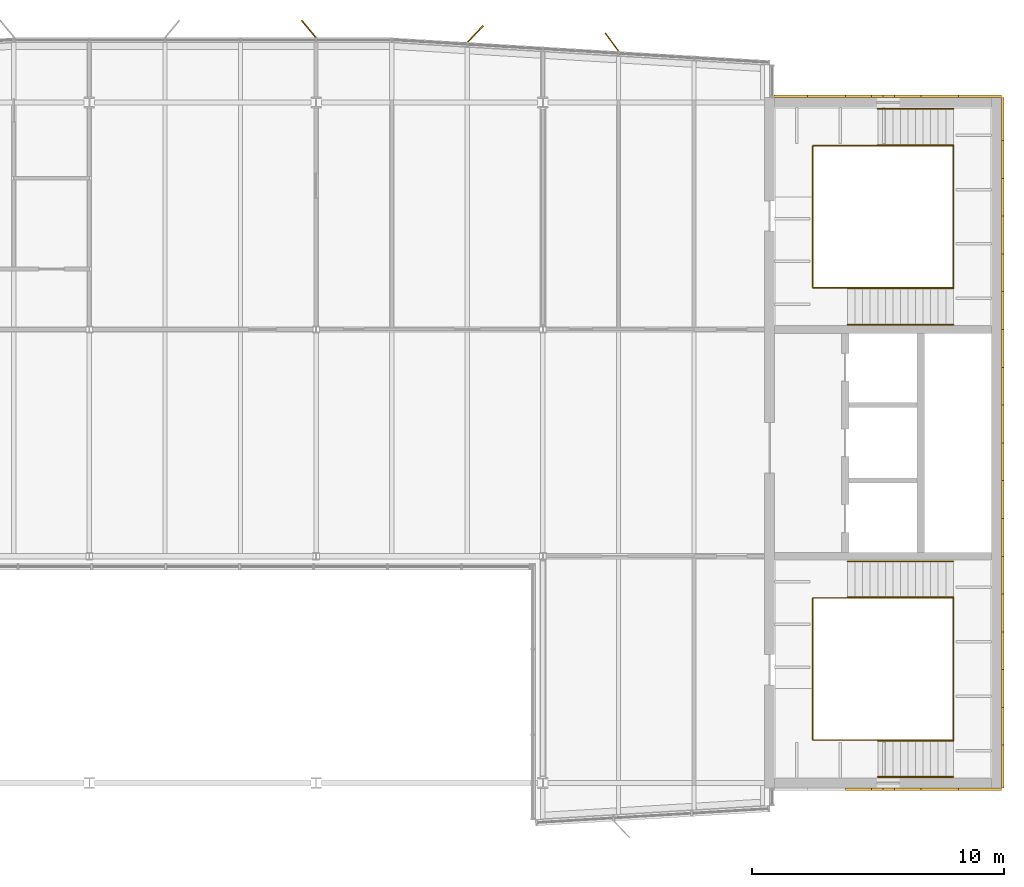
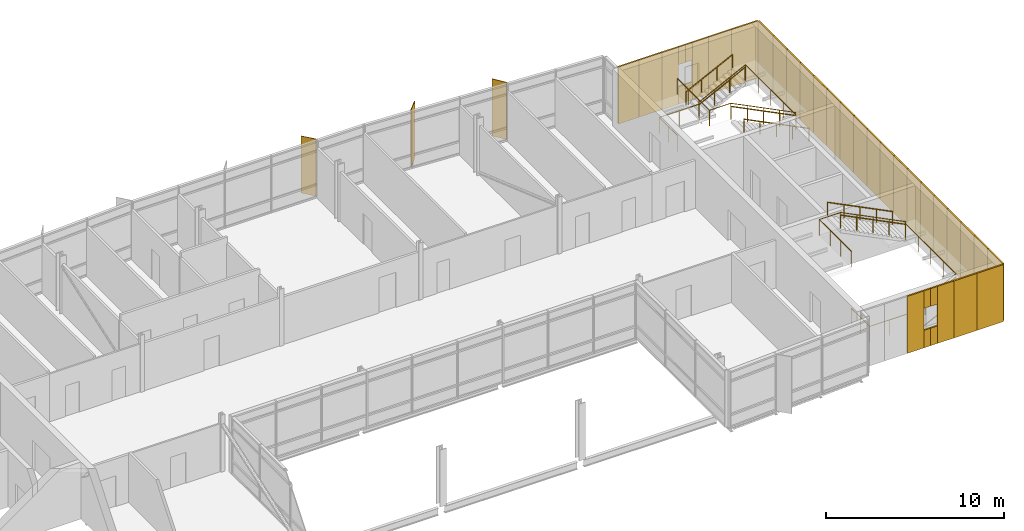
# One storey, part 20 of 20: 36 coverings, 10 railings, 3 shading devices.
"""IFC4 building model written with IfcOpenShell, lengths in metres."""

from ifc_helpers import new_model, si_unit, direction, frame, origin, origin_2d, place, context, subcontext, project, spatial, rectangle, circle, extrude, material, layer, layer_set, type_object, element, save


model = new_model("IFC4")

# Units and contexts
model_context = context("Model", 3, precision=1e-05, world=origin(), true_north=direction((0.0, 1.0)))
body_context = subcontext(model_context, "Body", "Model", "MODEL_VIEW")
ifc_project = project(units=[si_unit("LENGTHUNIT", "METRE"), si_unit("AREAUNIT", "SQUARE_METRE"), si_unit("VOLUMEUNIT", "CUBIC_METRE"), si_unit("PLANEANGLEUNIT", "RADIAN"), si_unit("MASSUNIT", "GRAM", prefix="KILO")], contexts=[model_context])

# Site, building, storey
site_placement = place(None, origin())
site = spatial("IfcSite", under=ifc_project, at=site_placement, CompositionType="ELEMENT")
building_placement = place(site_placement, origin())
building = spatial("IfcBuilding", under=site, at=building_placement, Name="Azimuth Sports and Learning Centre", CompositionType="ELEMENT")
storey_placement = place(building_placement, frame((0.0, 0.0, 71.39990234375)))
storey = spatial("IfcBuildingStorey", under=building, at=storey_placement, Name="L16", CompositionType="ELEMENT", Elevation=71.39990234375)

# Coverings
ifc_material_1 = material(Name="Cladding panel")
ifc_layer_1 = layer(ifc_material_1, 0.10009765625)
ifc_layer_set_1 = layer_set([ifc_layer_1], Name="Cladding panel")
covering_type = type_object("IfcCoveringType", Name="Cladding panel 100", PredefinedType="CLADDING", material=ifc_layer_set_1)
covering_1_placement = place(storey_placement, frame((111.52490234375, 89.75, 0.000244140625), z_axis=(0.0, 0.0, 1.0), x_axis=(1.0, 0.0, 0.0)))
element("IfcCovering", 1, at=covering_1_placement, inside=storey, type_object=covering_type, Name="Cladding panel S-CORE E L16 3", PredefinedType="CLADDING", context=body_context, shape_type="SweptSolid", body=[
    extrude(rectangle(XDim=1.050048828125, YDim=0.10009765625, at=origin_2d()), origin(), (0.0, 0.0, 1.0), 3.89990234375),
])
for number, where, z_axis, x_axis, name in (
    (2, (112.27490234375, 89.75, 0.0), (0.0, 0.0, 1.0), (1.0, 0.0, 0.0), "Cladding panel S-CORE E L16 4"),
    (3, (112.27490234375, 89.75, 2.7001953125), (0.0, 0.0, 1.0), (1.0, 0.0, 0.0), "Cladding panel S-CORE E L16 5"),
):
    element("IfcCovering", number, at=place(storey_placement, frame(where, z_axis=z_axis, x_axis=x_axis)), inside=storey, type_object=covering_type, Name=name, PredefinedType="CLADDING", context=body_context, shape_type="SweptSolid", body=[
        extrude(rectangle(XDim=0.449951171875, YDim=0.10009765625, at=origin_2d()), origin(), (0.0, 0.0, 1.0), 1.199951171875),
    ])
covering_2_placement = place(storey_placement, frame((113.47509765625, 89.75, 0.000244140625), z_axis=(0.0, 0.0, 1.0), x_axis=(1.0, 0.0, 0.0)))
element("IfcCovering", 4, at=covering_2_placement, inside=storey, type_object=covering_type, Name="Cladding panel S-CORE E L16 6", PredefinedType="CLADDING", context=body_context, shape_type="SweptSolid", body=[
    extrude(rectangle(XDim=1.050048828125, YDim=0.10009765625, at=origin_2d()), origin(), (0.0, 0.0, 1.0), 3.89990234375),
])
for number, where, z_axis, x_axis, name in (
    (5, (112.72509765625, 89.75, 0.0), (0.0, 0.0, 1.0), (1.0, 0.0, 0.0), "Cladding panel S-CORE E L16 7"),
    (6, (112.72509765625, 89.75, 2.7001953125), (0.0, 0.0, 1.0), (1.0, 0.0, 0.0), "Cladding panel S-CORE E L16 8"),
):
    element("IfcCovering", number, at=place(storey_placement, frame(where, z_axis=z_axis, x_axis=x_axis)), inside=storey, type_object=covering_type, Name=name, PredefinedType="CLADDING", context=body_context, shape_type="SweptSolid", body=[
        extrude(rectangle(XDim=0.449951171875, YDim=0.10009765625, at=origin_2d()), origin(), (0.0, 0.0, 1.0), 1.199951171875),
    ])
covering_3_placement = place(storey_placement, frame((114.75, 89.75, 0.000244140625), z_axis=(0.0, 0.0, 1.0), x_axis=(1.0, 0.0, 0.0)))
element("IfcCovering", 7, at=covering_3_placement, inside=storey, type_object=covering_type, Name="Cladding panel S-CORE E L16 9", PredefinedType="CLADDING", context=body_context, shape_type="SweptSolid", body=[
    extrude(rectangle(XDim=1.5, YDim=0.10009765625, at=origin_2d()), origin(), (0.0, 0.0, 1.0), 3.89990234375),
])
for number, where, z_axis, x_axis, name in (
    (8, (116.35009765625, 89.75, 0.000244140625), (0.0, 0.0, 1.0), (1.0, 0.0, 0.0), "Cladding panel S-CORE E L16 10"),
    (9, (117.25, 90.64990234375, 0.000244140625), (0.0, 0.0, 1.0), (0.0, 1.0, 0.0), "Cladding panel E-CORE E L16 1"),
):
    element("IfcCovering", number, at=place(storey_placement, frame(where, z_axis=z_axis, x_axis=x_axis)), inside=storey, type_object=covering_type, Name=name, PredefinedType="CLADDING", context=body_context, shape_type="SweptSolid", body=[
        extrude(rectangle(XDim=1.699951171875, YDim=0.10009765625, at=origin_2d()), origin(), (0.0, 0.0, 1.0), 3.89990234375),
    ])
for number, where, z_axis, x_axis, name in (
    (10, (117.25, 92.25, 0.000244140625), (0.0, 0.0, 1.0), (0.0, 1.0, 0.0), "Cladding panel E-CORE E L16 2"),
    (11, (117.25, 93.75, 0.000244140625), (0.0, 0.0, 1.0), (0.0, 1.0, 0.0), "Cladding panel E-CORE E L16 3"),
    (12, (117.25, 95.25, 0.000244140625), (0.0, 0.0, 1.0), (0.0, 1.0, 0.0), "Cladding panel E-CORE E L16 4"),
    (13, (117.25, 96.75, 0.000244140625), (0.0, 0.0, 1.0), (0.0, 1.0, 0.0), "Cladding panel E-CORE E L16 5"),
    (14, (117.25, 98.25, 0.000244140625), (0.0, 0.0, 1.0), (0.0, 1.0, 0.0), "Cladding panel E-CORE E L16 6"),
    (15, (117.25, 99.75, 0.000244140625), (0.0, 0.0, 1.0), (0.0, 1.0, 0.0), "Cladding panel E-CORE E L16 7"),
    (16, (117.25, 101.25, 0.000244140625), (0.0, 0.0, 1.0), (0.0, 1.0, 0.0), "Cladding panel E-CORE E L16 8"),
    (17, (117.25, 102.75, 0.000244140625), (0.0, 0.0, 1.0), (0.0, 1.0, 0.0), "Cladding panel E-CORE E L16 9"),
    (18, (117.25, 104.25, 0.000244140625), (0.0, 0.0, 1.0), (0.0, 1.0, 0.0), "Cladding panel E-CORE E L16 10"),
    (19, (117.25, 105.75, 0.000244140625), (0.0, 0.0, 1.0), (0.0, 1.0, 0.0), "Cladding panel E-CORE E L16 11"),
    (20, (117.25, 107.25, 0.000244140625), (0.0, 0.0, 1.0), (0.0, 1.0, 0.0), "Cladding panel E-CORE E L16 12"),
    (21, (117.25, 108.75, 0.000244140625), (0.0, 0.0, 1.0), (0.0, 1.0, 0.0), "Cladding panel E-CORE E L16 13"),
    (22, (117.25, 110.25, 0.000244140625), (0.0, 0.0, 1.0), (0.0, 1.0, 0.0), "Cladding panel E-CORE E L16 14"),
    (23, (117.25, 111.75, 0.000244140625), (0.0, 0.0, 1.0), (0.0, 1.0, 0.0), "Cladding panel E-CORE E L16 15"),
    (24, (117.25, 113.25, 0.000244140625), (0.0, 0.0, 1.0), (0.0, 1.0, 0.0), "Cladding panel E-CORE E L16 16"),
    (25, (117.25, 114.75, 0.000244140625), (0.0, 0.0, 1.0), (0.0, 1.0, 0.0), "Cladding panel E-CORE E L16 17"),
):
    element("IfcCovering", number, at=place(storey_placement, frame(where, z_axis=z_axis, x_axis=x_axis)), inside=storey, type_object=covering_type, Name=name, PredefinedType="CLADDING", context=body_context, shape_type="SweptSolid", body=[
        extrude(rectangle(XDim=1.5, YDim=0.10009765625, at=origin_2d()), origin(), (0.0, 0.0, 1.0), 3.89990234375),
    ])
for number, where, z_axis, x_axis, name in (
    (26, (117.25, 116.35009765625, 0.000244140625), (0.0, 0.0, 1.0), (0.0, 1.0, 0.0), "Cladding panel E-CORE E L16 18"),
    (27, (116.35009765625, 117.25, 0.000244140625), (0.0, 0.0, 1.0), (-1.0, 0.0, 0.0), "Cladding panel N-CORE E L16 1"),
):
    element("IfcCovering", number, at=place(storey_placement, frame(where, z_axis=z_axis, x_axis=x_axis)), inside=storey, type_object=covering_type, Name=name, PredefinedType="CLADDING", context=body_context, shape_type="SweptSolid", body=[
        extrude(rectangle(XDim=1.699951171875, YDim=0.10009765625, at=origin_2d()), origin(), (0.0, 0.0, 1.0), 3.89990234375),
    ])
covering_4_placement = place(storey_placement, frame((114.75, 117.25, 0.000244140625), z_axis=(0.0, 0.0, 1.0), x_axis=(-1.0, 0.0, 0.0)))
element("IfcCovering", 28, at=covering_4_placement, inside=storey, type_object=covering_type, Name="Cladding panel N-CORE E L16 2", PredefinedType="CLADDING", context=body_context, shape_type="SweptSolid", body=[
    extrude(rectangle(XDim=1.5, YDim=0.10009765625, at=origin_2d()), origin(), (0.0, 0.0, 1.0), 3.89990234375),
])
covering_5_placement = place(storey_placement, frame((113.47509765625, 117.25, 0.000244140625), z_axis=(0.0, 0.0, 1.0), x_axis=(-1.0, 0.0, 0.0)))
element("IfcCovering", 29, at=covering_5_placement, inside=storey, type_object=covering_type, Name="Cladding panel N-CORE E L16 3", PredefinedType="CLADDING", context=body_context, shape_type="SweptSolid", body=[
    extrude(rectangle(XDim=1.050048828125, YDim=0.10009765625, at=origin_2d()), origin(), (0.0, 0.0, 1.0), 3.89990234375),
])
for number, where, z_axis, x_axis, name in (
    (30, (112.72509765625, 117.25, 0.0), (0.0, 0.0, 1.0), (-1.0, 0.0, 0.0), "Cladding panel N-CORE E L16 4"),
    (31, (112.72509765625, 117.25, 2.7001953125), (0.0, 0.0, 1.0), (-1.0, 0.0, 0.0), "Cladding panel N-CORE E L16 5"),
):
    element("IfcCovering", number, at=place(storey_placement, frame(where, z_axis=z_axis, x_axis=x_axis)), inside=storey, type_object=covering_type, Name=name, PredefinedType="CLADDING", context=body_context, shape_type="SweptSolid", body=[
        extrude(rectangle(XDim=0.449951171875, YDim=0.10009765625, at=origin_2d()), origin(), (0.0, 0.0, 1.0), 1.199951171875),
    ])
covering_6_placement = place(storey_placement, frame((111.52490234375, 117.25, 0.000244140625), z_axis=(0.0, 0.0, 1.0), x_axis=(-1.0, 0.0, 0.0)))
element("IfcCovering", 32, at=covering_6_placement, inside=storey, type_object=covering_type, Name="Cladding panel N-CORE E L16 6", PredefinedType="CLADDING", context=body_context, shape_type="SweptSolid", body=[
    extrude(rectangle(XDim=1.050048828125, YDim=0.10009765625, at=origin_2d()), origin(), (0.0, 0.0, 1.0), 3.89990234375),
])
for number, where, z_axis, x_axis, name in (
    (33, (112.27490234375, 117.25, 0.0), (0.0, 0.0, 1.0), (-1.0, 0.0, 0.0), "Cladding panel N-CORE E L16 7"),
    (34, (112.27490234375, 117.25, 2.7001953125), (0.0, 0.0, 1.0), (-1.0, 0.0, 0.0), "Cladding panel N-CORE E L16 8"),
):
    element("IfcCovering", number, at=place(storey_placement, frame(where, z_axis=z_axis, x_axis=x_axis)), inside=storey, type_object=covering_type, Name=name, PredefinedType="CLADDING", context=body_context, shape_type="SweptSolid", body=[
        extrude(rectangle(XDim=0.449951171875, YDim=0.10009765625, at=origin_2d()), origin(), (0.0, 0.0, 1.0), 1.199951171875),
    ])
covering_7_placement = place(storey_placement, frame((110.25, 117.25, 0.000244140625), z_axis=(0.0, 0.0, 1.0), x_axis=(-1.0, 0.0, 0.0)))
element("IfcCovering", 35, at=covering_7_placement, inside=storey, type_object=covering_type, Name="Cladding panel N-CORE E L16 9", PredefinedType="CLADDING", context=body_context, shape_type="SweptSolid", body=[
    extrude(rectangle(XDim=1.5, YDim=0.10009765625, at=origin_2d()), origin(), (0.0, 0.0, 1.0), 3.89990234375),
])
covering_8_placement = place(storey_placement, frame((108.840087890625, 117.25, 0.000244140625), z_axis=(0.0, 0.0, 1.0), x_axis=(-1.0, 0.0, 0.0)))
element("IfcCovering", 36, at=covering_8_placement, inside=storey, type_object=covering_type, Name="Cladding panel N-CORE E L16 10", PredefinedType="CLADDING", context=body_context, shape_type="SweptSolid", body=[
    extrude(rectangle(XDim=1.320068359375, YDim=0.10009765625, at=origin_2d()), origin(), (0.0, 0.0, 1.0), 3.89990234375),
])

# Shading devices
ifc_material_2 = material(Name="Aluminium", Category="aluminium")
ifc_layer_2 = layer(ifc_material_2, 0.0400390625)
ifc_layer_set_2 = layer_set([ifc_layer_2], Name="Aluminium")
shading_device_type = type_object("IfcShadingDeviceType", Name="Shading fin 900", PredefinedType="JALOUSIE", material=ifc_layer_set_2)
for number, where, z_axis, x_axis, name in (
    (37, (101.74267578125, 119.401123046875, 0.000244140625), (0.0, 0.0, 1.0), (-0.595753790608, 0.803167118958, 0.0), "Shading fin F16-004"),
    (38, (96.320068359375, 119.7265625, 0.000244140625), (0.0, 0.0, 1.0), (0.687513645637, 0.726171458447, 0.0), "Shading fin F16-005"),
    (39, (89.710693359375, 119.9248046875, 0.000244140625), (0.0, 0.0, 1.0), (-0.642787609687, 0.766044443119, 0.0), "Shading fin F16-006"),
):
    element("IfcShadingDevice", number, at=place(storey_placement, frame(where, z_axis=z_axis, x_axis=x_axis)), inside=storey, type_object=shading_device_type, Name=name, PredefinedType="JALOUSIE", context=body_context, shape_type="SweptSolid", body=[
        extrude(rectangle(XDim=0.89990234375, YDim=0.0400390625, at=origin_2d()), origin(), (0.0, 0.0, 1.0), 3.89990234375),
    ])

# Railings
ifc_material_3 = material(Name="Stainless steel", Category="steel")
railing_type_1 = type_object("IfcRailingType", Name="Stair guard 1100", PredefinedType="GUARDRAIL", material=ifc_material_3)
railing_1_placement = place(storey_placement, frame((109.7099609375, 93.75, 0.0)))
element("IfcRailing", 40, at=railing_1_placement, inside=storey, type_object=railing_type_1, Name="Guard E1 L16 well", PredefinedType="GUARDRAIL", context=body_context, shape_type="SweptSolid", body=[
    extrude(circle(Radius=0.02392578125, at=origin_2d()), frame((0.0, 0.0, 1.076171875), z_axis=(0.0, -1.0, 0.0), x_axis=(1.0, 0.0, 0.0)), (0.0, 0.0, 1.0), 2.0400390625),
    extrude(circle(Radius=0.02392578125, at=origin_2d()), frame((0.0, -2.0400390625, 1.076171875), z_axis=(1.0, 0.0, 0.0), x_axis=(0.0, 1.0, 0.0)), (0.0, 0.0, 1.0), 2.580078125),
    extrude(circle(Radius=0.02392578125, at=origin_2d()), frame((2.580078125, -2.0400390625, 1.076171875), z_axis=(0.0, 0.0, 1.0), x_axis=(1.0, 0.0, 0.0)), (0.0, 0.0, 1.0), 0.150146484375),
    extrude(circle(Radius=0.02392578125, at=origin_2d()), frame((2.580078125, -2.0400390625, 1.22607421875), z_axis=(0.894427191, 0.0, 0.4472135955), x_axis=(0.0, 1.0, 0.0)), (0.0, 0.0, 1.0), 3.35400390625),
    extrude(circle(Radius=0.02392578125, at=origin_2d()), frame((5.580078125, -2.0400390625, 2.72607421875), z_axis=(0.0, 1.0, 0.0), x_axis=(-1.0, 0.0, 0.0)), (0.0, 0.0, 1.0), 5.630126953125),
    extrude(circle(Radius=0.02392578125, at=origin_2d()), frame((5.580078125, 3.590087890625, 2.72607421875), z_axis=(0.0, 0.0, 1.0), x_axis=(1.0, 0.0, 0.0)), (0.0, 0.0, 1.0), 0.14990234375),
    extrude(circle(Radius=0.02392578125, at=origin_2d()), frame((5.580078125, 3.590087890625, 2.8759765625), z_axis=(-0.894416792377, 0.0, 0.447234392142), x_axis=(0.0, -1.0, 0.0)), (0.0, 0.0, 1.0), 4.69580078125),
    extrude(circle(Radius=0.02392578125, at=origin_2d()), frame((1.380126953125, 3.590087890625, 4.97607421875), z_axis=(-1.0, 0.0, 0.0), x_axis=(0.0, -1.0, 0.0)), (0.0, 0.0, 1.0), 1.380126953125),
    extrude(circle(Radius=0.02392578125, at=origin_2d()), frame((0.0, 3.590087890625, 4.97607421875), z_axis=(0.0, -1.0, 0.0), x_axis=(1.0, 0.0, 0.0)), (0.0, 0.0, 1.0), 3.590087890625),
    extrude(circle(Radius=0.01611328125, at=origin_2d()), origin(), (0.0, 0.0, 1.0), 1.052001953125),
    extrude(circle(Radius=0.01611328125, at=origin_2d()), frame((0.0, -1.02001953125, 0.0)), (0.0, 0.0, 1.0), 1.052001953125),
    extrude(circle(Radius=0.01611328125, at=origin_2d()), frame((0.0, -2.0400390625, 0.0)), (0.0, 0.0, 1.0), 1.052001953125),
    extrude(circle(Radius=0.01611328125, at=origin_2d()), frame((1.2900390625, -2.0400390625, 0.0)), (0.0, 0.0, 1.0), 1.052001953125),
    extrude(circle(Radius=0.01611328125, at=origin_2d()), frame((2.580078125, -2.0400390625, 0.0)), (0.0, 0.0, 1.0), 1.052001953125),
    extrude(circle(Radius=0.01611328125, at=origin_2d()), frame((2.580078125, -2.0400390625, 0.150146484375)), (0.0, 0.0, 1.0), 1.052001953125),
    extrude(circle(Radius=0.01611328125, at=origin_2d()), frame((3.580078125, -2.0400390625, 0.650146484375)), (0.0, 0.0, 1.0), 1.052001953125),
    extrude(circle(Radius=0.01611328125, at=origin_2d()), frame((4.580078125, -2.0400390625, 1.150146484375)), (0.0, 0.0, 1.0), 1.052001953125),
    extrude(circle(Radius=0.01611328125, at=origin_2d()), frame((5.580078125, -2.0400390625, 1.650146484375)), (0.0, 0.0, 1.0), 1.052001953125),
    extrude(circle(Radius=0.01611328125, at=origin_2d()), frame((5.580078125, -0.632568359375, 1.650146484375)), (0.0, 0.0, 1.0), 1.052001953125),
    extrude(circle(Radius=0.01611328125, at=origin_2d()), frame((5.580078125, 0.77490234375, 1.650146484375)), (0.0, 0.0, 1.0), 1.052001953125),
    extrude(circle(Radius=0.01611328125, at=origin_2d()), frame((5.580078125, 2.1826171875, 1.650146484375)), (0.0, 0.0, 1.0), 1.052001953125),
    extrude(circle(Radius=0.01611328125, at=origin_2d()), frame((5.580078125, 3.590087890625, 1.650146484375)), (0.0, 0.0, 1.0), 1.052001953125),
    extrude(circle(Radius=0.01611328125, at=origin_2d()), frame((5.580078125, 3.590087890625, 1.800048828125)), (0.0, 0.0, 1.0), 1.052001953125),
    extrude(circle(Radius=0.01611328125, at=origin_2d()), frame((4.530029296875, 3.590087890625, 2.3251953125)), (0.0, 0.0, 1.0), 1.052001953125),
    extrude(circle(Radius=0.01611328125, at=origin_2d()), frame((3.47998046875, 3.590087890625, 2.85009765625)), (0.0, 0.0, 1.0), 1.052001953125),
    extrude(circle(Radius=0.01611328125, at=origin_2d()), frame((2.43017578125, 3.590087890625, 3.375)), (0.0, 0.0, 1.0), 1.052001953125),
    extrude(circle(Radius=0.01611328125, at=origin_2d()), frame((1.380126953125, 3.590087890625, 3.900146484375)), (0.0, 0.0, 1.0), 1.052001953125),
    extrude(circle(Radius=0.01611328125, at=origin_2d()), frame((0.0, 3.590087890625, 3.900146484375)), (0.0, 0.0, 1.0), 1.052001953125),
    extrude(circle(Radius=0.01611328125, at=origin_2d()), frame((0.0, 2.393310546875, 3.900146484375)), (0.0, 0.0, 1.0), 1.052001953125),
    extrude(circle(Radius=0.01611328125, at=origin_2d()), frame((0.0, 1.19677734375, 3.900146484375)), (0.0, 0.0, 1.0), 1.052001953125),
    extrude(circle(Radius=0.01611328125, at=origin_2d()), frame((0.0, 0.0, 3.900146484375)), (0.0, 0.0, 1.0), 1.052001953125),
])
railing_2_placement = place(storey_placement, frame((109.7099609375, 113.25, 0.0)))
element("IfcRailing", 41, at=railing_2_placement, inside=storey, type_object=railing_type_1, Name="Guard E2 L16 well", PredefinedType="GUARDRAIL", context=body_context, shape_type="SweptSolid", body=[
    extrude(circle(Radius=0.02392578125, at=origin_2d()), frame((0.0, 0.0, 1.076171875), z_axis=(0.0, 1.0, 0.0), x_axis=(-1.0, 0.0, 0.0)), (0.0, 0.0, 1.0), 2.0400390625),
    extrude(circle(Radius=0.02392578125, at=origin_2d()), frame((0.0, 2.0400390625, 1.076171875), z_axis=(1.0, 0.0, 0.0), x_axis=(0.0, 1.0, 0.0)), (0.0, 0.0, 1.0), 2.580078125),
    extrude(circle(Radius=0.02392578125, at=origin_2d()), frame((2.580078125, 2.0400390625, 1.076171875), z_axis=(0.0, 0.0, 1.0), x_axis=(1.0, 0.0, 0.0)), (0.0, 0.0, 1.0), 0.150146484375),
    extrude(circle(Radius=0.02392578125, at=origin_2d()), frame((2.580078125, 2.0400390625, 1.22607421875), z_axis=(0.894427191, 0.0, 0.4472135955), x_axis=(0.0, 1.0, 0.0)), (0.0, 0.0, 1.0), 3.35400390625),
    extrude(circle(Radius=0.02392578125, at=origin_2d()), frame((5.580078125, 2.0400390625, 2.72607421875), z_axis=(0.0, -1.0, 0.0), x_axis=(1.0, 0.0, 0.0)), (0.0, 0.0, 1.0), 5.630126953125),
    extrude(circle(Radius=0.02392578125, at=origin_2d()), frame((5.580078125, -3.590087890625, 2.72607421875), z_axis=(0.0, 0.0, 1.0), x_axis=(1.0, 0.0, 0.0)), (0.0, 0.0, 1.0), 0.14990234375),
    extrude(circle(Radius=0.02392578125, at=origin_2d()), frame((5.580078125, -3.590087890625, 2.8759765625), z_axis=(-0.894416792377, 0.0, 0.447234392142), x_axis=(0.0, -1.0, 0.0)), (0.0, 0.0, 1.0), 4.69580078125),
    extrude(circle(Radius=0.02392578125, at=origin_2d()), frame((1.380126953125, -3.590087890625, 4.97607421875), z_axis=(-1.0, 0.0, 0.0), x_axis=(0.0, -1.0, 0.0)), (0.0, 0.0, 1.0), 1.380126953125),
    extrude(circle(Radius=0.02392578125, at=origin_2d()), frame((0.0, -3.590087890625, 4.97607421875), z_axis=(0.0, 1.0, 0.0), x_axis=(-1.0, 0.0, 0.0)), (0.0, 0.0, 1.0), 3.590087890625),
    extrude(circle(Radius=0.01611328125, at=origin_2d()), origin(), (0.0, 0.0, 1.0), 1.052001953125),
    extrude(circle(Radius=0.01611328125, at=origin_2d()), frame((0.0, 1.02001953125, 0.0)), (0.0, 0.0, 1.0), 1.052001953125),
    extrude(circle(Radius=0.01611328125, at=origin_2d()), frame((0.0, 2.0400390625, 0.0)), (0.0, 0.0, 1.0), 1.052001953125),
    extrude(circle(Radius=0.01611328125, at=origin_2d()), frame((1.2900390625, 2.0400390625, 0.0)), (0.0, 0.0, 1.0), 1.052001953125),
    extrude(circle(Radius=0.01611328125, at=origin_2d()), frame((2.580078125, 2.0400390625, 0.0)), (0.0, 0.0, 1.0), 1.052001953125),
    extrude(circle(Radius=0.01611328125, at=origin_2d()), frame((2.580078125, 2.0400390625, 0.150146484375)), (0.0, 0.0, 1.0), 1.052001953125),
    extrude(circle(Radius=0.01611328125, at=origin_2d()), frame((3.580078125, 2.0400390625, 0.650146484375)), (0.0, 0.0, 1.0), 1.052001953125),
    extrude(circle(Radius=0.01611328125, at=origin_2d()), frame((4.580078125, 2.0400390625, 1.150146484375)), (0.0, 0.0, 1.0), 1.052001953125),
    extrude(circle(Radius=0.01611328125, at=origin_2d()), frame((5.580078125, 2.0400390625, 1.650146484375)), (0.0, 0.0, 1.0), 1.052001953125),
    extrude(circle(Radius=0.01611328125, at=origin_2d()), frame((5.580078125, 0.632568359375, 1.650146484375)), (0.0, 0.0, 1.0), 1.052001953125),
    extrude(circle(Radius=0.01611328125, at=origin_2d()), frame((5.580078125, -0.77490234375, 1.650146484375)), (0.0, 0.0, 1.0), 1.052001953125),
    extrude(circle(Radius=0.01611328125, at=origin_2d()), frame((5.580078125, -2.1826171875, 1.650146484375)), (0.0, 0.0, 1.0), 1.052001953125),
    extrude(circle(Radius=0.01611328125, at=origin_2d()), frame((5.580078125, -3.590087890625, 1.650146484375)), (0.0, 0.0, 1.0), 1.052001953125),
    extrude(circle(Radius=0.01611328125, at=origin_2d()), frame((5.580078125, -3.590087890625, 1.800048828125)), (0.0, 0.0, 1.0), 1.052001953125),
    extrude(circle(Radius=0.01611328125, at=origin_2d()), frame((4.530029296875, -3.590087890625, 2.3251953125)), (0.0, 0.0, 1.0), 1.052001953125),
    extrude(circle(Radius=0.01611328125, at=origin_2d()), frame((3.47998046875, -3.590087890625, 2.85009765625)), (0.0, 0.0, 1.0), 1.052001953125),
    extrude(circle(Radius=0.01611328125, at=origin_2d()), frame((2.43017578125, -3.590087890625, 3.375)), (0.0, 0.0, 1.0), 1.052001953125),
    extrude(circle(Radius=0.01611328125, at=origin_2d()), frame((1.380126953125, -3.590087890625, 3.900146484375)), (0.0, 0.0, 1.0), 1.052001953125),
    extrude(circle(Radius=0.01611328125, at=origin_2d()), frame((0.0, -3.590087890625, 3.900146484375)), (0.0, 0.0, 1.0), 1.052001953125),
    extrude(circle(Radius=0.01611328125, at=origin_2d()), frame((0.0, -2.393310546875, 3.900146484375)), (0.0, 0.0, 1.0), 1.052001953125),
    extrude(circle(Radius=0.01611328125, at=origin_2d()), frame((0.0, -1.19677734375, 3.900146484375)), (0.0, 0.0, 1.0), 1.052001953125),
    extrude(circle(Radius=0.01611328125, at=origin_2d()), frame((0.0, 0.0, 3.900146484375)), (0.0, 0.0, 1.0), 1.052001953125),
])
ifc_material_4 = material(Name="Stainless steel", Category="steel")
railing_type_2 = type_object("IfcRailingType", Name="Stair handrail 42", PredefinedType="HANDRAIL", material=ifc_material_4)
for number, where, name in (
    (42, (112.2900390625, 91.679931640625, 0.150146484375), "Handrail E1 L16 flight 1 inner"),
    (43, (112.2900390625, 90.239990234375, 0.150146484375), "Handrail E1 L16 flight 1 outer"),
):
    element("IfcRailing", number, at=place(storey_placement, frame(where)), inside=storey, type_object=railing_type_2, Name=name, PredefinedType="HANDRAIL", context=body_context, shape_type="SweptSolid", body=[
        extrude(circle(Radius=0.02099609375, at=origin_2d()), frame((0.0, 0.0, 0.87890625), z_axis=(0.894427191, 0.0, 0.4472135955), x_axis=(0.0, 1.0, 0.0)), (0.0, 0.0, 1.0), 3.35400390625),
        extrude(circle(Radius=0.01611328125, at=origin_2d()), origin(), (0.0, 0.0, 1.0), 0.85791015625),
        extrude(circle(Radius=0.01611328125, at=origin_2d()), frame((1.0, 0.0, 0.5)), (0.0, 0.0, 1.0), 0.85791015625),
        extrude(circle(Radius=0.01611328125, at=origin_2d()), frame((2.0, 0.0, 1.0)), (0.0, 0.0, 1.0), 0.85791015625),
        extrude(circle(Radius=0.01611328125, at=origin_2d()), frame((3.0, 0.0, 1.5)), (0.0, 0.0, 1.0), 0.85791015625),
    ])
for number, where, name in (
    (44, (115.2900390625, 97.3701171875, 1.800048828125), "Handrail E1 L16 flight 2 inner"),
    (45, (115.2900390625, 98.81005859375, 1.800048828125), "Handrail E1 L16 flight 2 outer"),
):
    element("IfcRailing", number, at=place(storey_placement, frame(where)), inside=storey, type_object=railing_type_2, Name=name, PredefinedType="HANDRAIL", context=body_context, shape_type="SweptSolid", body=[
        extrude(circle(Radius=0.02099609375, at=origin_2d()), frame((0.0, 0.0, 0.87890625), z_axis=(-0.894416792377, 0.0, 0.447234392142), x_axis=(0.0, -1.0, 0.0)), (0.0, 0.0, 1.0), 4.69580078125),
        extrude(circle(Radius=0.01611328125, at=origin_2d()), origin(), (0.0, 0.0, 1.0), 0.85791015625),
        extrude(circle(Radius=0.01611328125, at=origin_2d()), frame((-1.050048828125, 0.0, 0.52490234375)), (0.0, 0.0, 1.0), 0.85791015625),
        extrude(circle(Radius=0.01611328125, at=origin_2d()), frame((-2.10009765625, 0.0, 1.050048828125)), (0.0, 0.0, 1.0), 0.85791015625),
        extrude(circle(Radius=0.01611328125, at=origin_2d()), frame((-3.14990234375, 0.0, 1.5751953125)), (0.0, 0.0, 1.0), 0.85791015625),
        extrude(circle(Radius=0.01611328125, at=origin_2d()), frame((-4.199951171875, 0.0, 2.10009765625)), (0.0, 0.0, 1.0), 0.85791015625),
    ])
for number, where, name in (
    (46, (112.2900390625, 115.320068359375, 0.150146484375), "Handrail E2 L16 flight 1 inner"),
    (47, (112.2900390625, 116.760009765625, 0.150146484375), "Handrail E2 L16 flight 1 outer"),
):
    element("IfcRailing", number, at=place(storey_placement, frame(where)), inside=storey, type_object=railing_type_2, Name=name, PredefinedType="HANDRAIL", context=body_context, shape_type="SweptSolid", body=[
        extrude(circle(Radius=0.02099609375, at=origin_2d()), frame((0.0, 0.0, 0.87890625), z_axis=(0.894427191, 0.0, 0.4472135955), x_axis=(0.0, 1.0, 0.0)), (0.0, 0.0, 1.0), 3.35400390625),
        extrude(circle(Radius=0.01611328125, at=origin_2d()), origin(), (0.0, 0.0, 1.0), 0.85791015625),
        extrude(circle(Radius=0.01611328125, at=origin_2d()), frame((1.0, 0.0, 0.5)), (0.0, 0.0, 1.0), 0.85791015625),
        extrude(circle(Radius=0.01611328125, at=origin_2d()), frame((2.0, 0.0, 1.0)), (0.0, 0.0, 1.0), 0.85791015625),
        extrude(circle(Radius=0.01611328125, at=origin_2d()), frame((3.0, 0.0, 1.5)), (0.0, 0.0, 1.0), 0.85791015625),
    ])
for number, where, name in (
    (48, (115.2900390625, 109.6298828125, 1.800048828125), "Handrail E2 L16 flight 2 inner"),
    (49, (115.2900390625, 108.18994140625, 1.800048828125), "Handrail E2 L16 flight 2 outer"),
):
    element("IfcRailing", number, at=place(storey_placement, frame(where)), inside=storey, type_object=railing_type_2, Name=name, PredefinedType="HANDRAIL", context=body_context, shape_type="SweptSolid", body=[
        extrude(circle(Radius=0.02099609375, at=origin_2d()), frame((0.0, 0.0, 0.87890625), z_axis=(-0.894416792377, 0.0, 0.447234392142), x_axis=(0.0, -1.0, 0.0)), (0.0, 0.0, 1.0), 4.69580078125),
        extrude(circle(Radius=0.01611328125, at=origin_2d()), origin(), (0.0, 0.0, 1.0), 0.85791015625),
        extrude(circle(Radius=0.01611328125, at=origin_2d()), frame((-1.050048828125, 0.0, 0.52490234375)), (0.0, 0.0, 1.0), 0.85791015625),
        extrude(circle(Radius=0.01611328125, at=origin_2d()), frame((-2.10009765625, 0.0, 1.050048828125)), (0.0, 0.0, 1.0), 0.85791015625),
        extrude(circle(Radius=0.01611328125, at=origin_2d()), frame((-3.14990234375, 0.0, 1.5751953125)), (0.0, 0.0, 1.0), 0.85791015625),
        extrude(circle(Radius=0.01611328125, at=origin_2d()), frame((-4.199951171875, 0.0, 2.10009765625)), (0.0, 0.0, 1.0), 0.85791015625),
    ])

save(model, "model.ifc")
